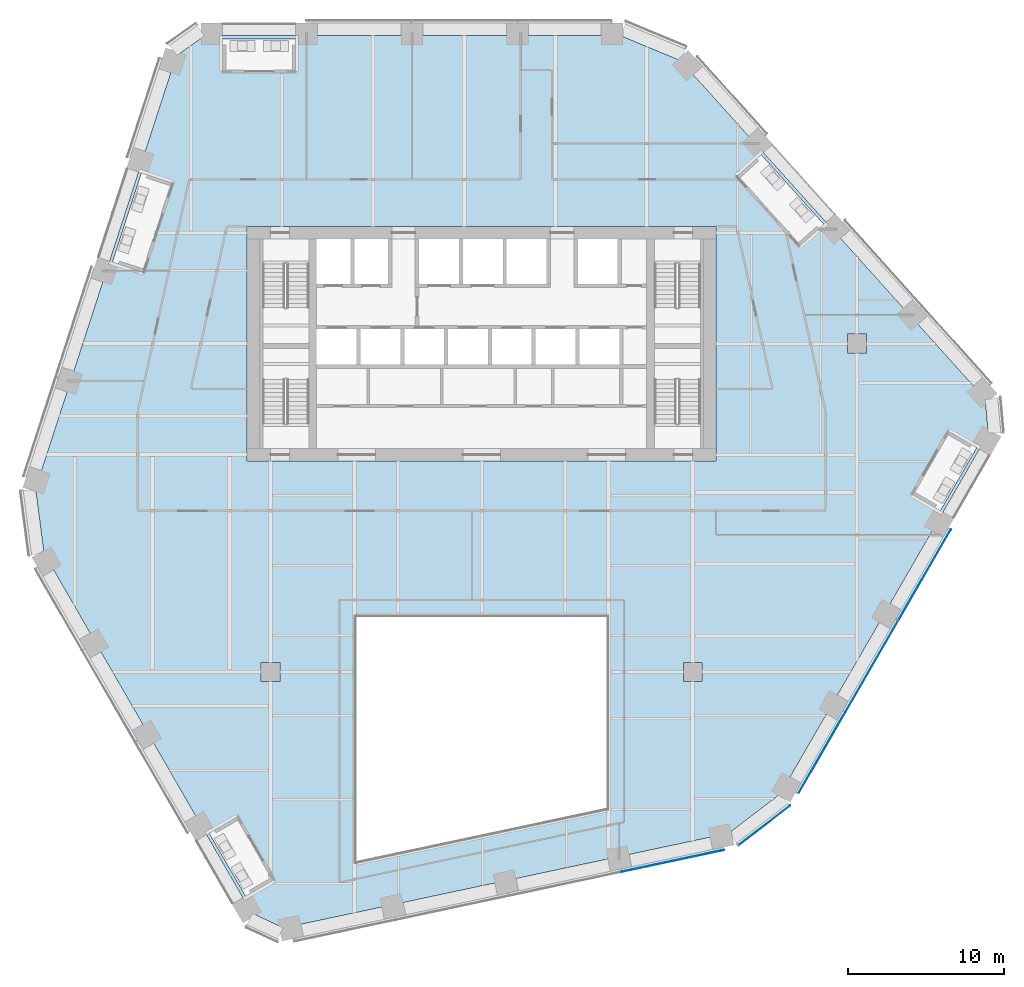
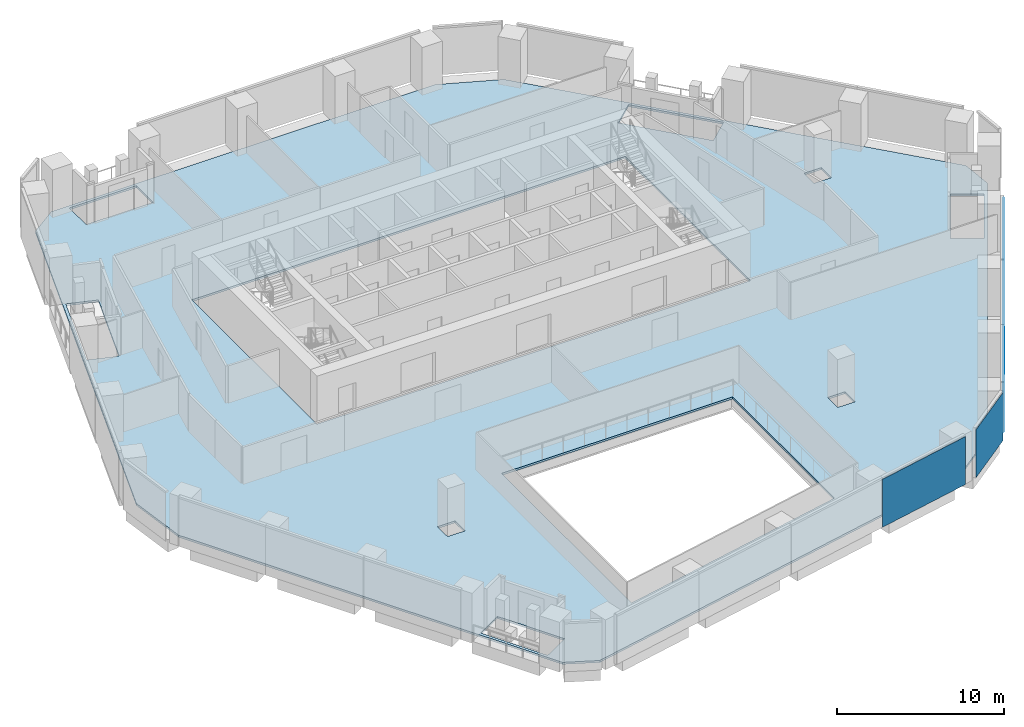
# One storey, part 14 of 26: 5 plates, 1 slab, 3 elements without a shape of their own.
"""IFC4 building model written with IfcOpenShell, lengths in metres."""

from ifc_helpers import new_model, si_unit, direction, frame, origin, origin_2d, place, context, subcontext, project, spatial, polyline, rectangle, outline, extrude, material, layer, layer_set, type_object, element, aggregate, save


model = new_model("IFC4")

# Units and contexts
model_context = context("Model", 3, precision=1e-05, world=origin(), true_north=direction((0.0, 1.0)))
body_context = subcontext(model_context, "Body", "Model", "MODEL_VIEW")
ifc_project = project(units=[si_unit("LENGTHUNIT", "METRE"), si_unit("AREAUNIT", "SQUARE_METRE"), si_unit("VOLUMEUNIT", "CUBIC_METRE"), si_unit("PLANEANGLEUNIT", "RADIAN"), si_unit("MASSUNIT", "GRAM", prefix="KILO")], contexts=[model_context])

# Site, building, storey
site_placement = place(None, origin())
site = spatial("IfcSite", under=ifc_project, at=site_placement, CompositionType="ELEMENT")
building_placement = place(site_placement, origin())
building = spatial("IfcBuilding", under=site, at=building_placement, Name="Isthmus Gate Tower", CompositionType="ELEMENT")
storey_placement = place(building_placement, frame((0.0, 0.0, 144.39990234375)))
storey = spatial("IfcBuildingStorey", under=building, at=storey_placement, Name="L35", CompositionType="ELEMENT", Elevation=144.39990234375)

# Slab
ifc_material_1 = material(Name="Concrete f'c 40 MPa", Category="concrete")
ifc_layer_1 = layer(ifc_material_1, 0.14990234375)
ifc_layer_set_1 = layer_set([ifc_layer_1], Name="COMPOSITE FLOOR SLAB 150")
slab_type = type_object("IfcSlabType", Name="COMPOSITE FLOOR SLAB 150", PredefinedType="FLOOR", material=ifc_layer_set_1)
slab_placement = place(storey_placement, frame((0.0, 0.0, -0.14990234375)))
element("IfcSlab", 1, at=slab_placement, inside=storey, type_object=slab_type, Name="str-slab-L35-1", PredefinedType="FLOOR", context=body_context, shape_type="SweptSolid", body=[
    extrude(outline(polyline([(12.72802734375, 25.599365234375), (32.21044921875, 3.9619140625), (32.410400390625, 1.736083984375), (19.116455078125, -21.289306640625), (15.8056640625, -23.822509765625), (-12.674072265625, -29.876220703125), (-14.701416015625, -28.936279296875), (-27.995361328125, -5.91064453125), (-28.53369140625, -1.77685546875), (-19.536376953125, 25.9140625), (-17.708740234375, 27.199951171875), (8.87890625, 27.199951171875), (12.72802734375, 25.599365234375)]), holes=[polyline([(-13.36962890625, -26.843017578125), (-15.694580078125, -22.81591796875), (-17.4267578125, -23.81591796875), (-15.101806640625, -27.843017578125), (-13.36962890625, -26.843017578125)]), polyline([(8.0, -10.0), (-8.0, -10.0), (-8.0, -25.611083984375), (8.0, -22.210205078125), (8.0, -10.0)]), polyline([(-12.89990234375, -12.89990234375), (-14.10009765625, -12.89990234375), (-14.10009765625, -14.10009765625), (-12.89990234375, -14.10009765625), (-12.89990234375, -12.89990234375)]), polyline([(12.89990234375, -14.10009765625), (14.10009765625, -14.10009765625), (14.10009765625, -12.89990234375), (12.89990234375, -12.89990234375), (12.89990234375, -14.10009765625)]), polyline([(31.663818359375, 0.843017578125), (29.931640625, 1.843017578125), (27.606689453125, -2.18408203125), (29.338623046875, -3.18408203125), (31.663818359375, 0.843017578125)]), polyline([(-15.0, 15.0), (-15.0, 0.0), (15.0, 0.0), (15.0, 15.0), (-15.0, 15.0)]), polyline([(24.60009765625, 6.89990234375), (24.60009765625, 8.10009765625), (23.39990234375, 8.10009765625), (23.39990234375, 6.89990234375), (24.60009765625, 6.89990234375)]), polyline([(-21.713134765625, 12.095458984375), (-19.86181640625, 17.793212890625), (-21.763916015625, 18.4111328125), (-23.615234375, 12.71337890625), (-21.713134765625, 12.095458984375)]), polyline([(17.87255859375, 19.587158203125), (16.38623046875, 18.248779296875), (20.394775390625, 13.796875), (21.881103515625, 15.135009765625), (17.87255859375, 19.587158203125)]), polyline([(-16.56201171875, 27.0), (-16.56201171875, 25.0), (-11.911865234375, 25.0), (-11.911865234375, 27.0), (-16.56201171875, 27.0)])]), origin(), (0.0, 0.0, 1.0), 0.14990234375),
])

# Curtain wall, plate
ifc_material_2 = material(Name="Aluminium, pale champagne anodised", Category="aluminium")
ifc_layer_2 = layer(ifc_material_2, 0.199951171875)
ifc_layer_set_2 = layer_set([ifc_layer_2], Name="CW-1 UNITISED CURTAIN WALL 200 DEEP")
curtain_wall_type = type_object("IfcCurtainWallType", Name="CW-1 UNITISED CURTAIN WALL 200 DEEP", PredefinedType="NOTDEFINED", material=ifc_layer_set_2)
curtain_wall_1_placement = place(storey_placement, origin())
curtain_wall_1 = element("IfcCurtainWall", 2, at=curtain_wall_1_placement, inside=storey, type_object=curtain_wall_type, Name="CW-1 S L35", PredefinedType="NOTDEFINED")
ifc_material_3 = material(Name="Laminated low-iron glass, pale blue tint", Category="glass")
ifc_layer_3 = layer(ifc_material_3, 0.035888671875)
ifc_layer_set_3 = layer_set([ifc_layer_3], Name="CW-1 CLEAR GLASS LITE 36")
plate_type = type_object("IfcPlateType", Name="CW-1 CLEAR GLASS LITE 36", PredefinedType="CURTAIN_PANEL", material=ifc_layer_set_3)
plate_1_placement = place(storey_placement, frame((12.2294921875, -25.586669921875, 0.0), z_axis=(0.0, 0.0, 1.0), x_axis=(0.978147600734, 0.207911690818, 0.0)))
plate_1 = element("IfcPlate", 3, at=plate_1_placement, type_object=plate_type, Name="CW-1 glass lite", PredefinedType="CURTAIN_PANEL", context=body_context, shape_type="SweptSolid", body=[
    extrude(rectangle(XDim=6.690673828125, YDim=0.035888671875, at=origin_2d()), origin(), (0.0, 0.0, 1.0), 3.510009765625),
])
aggregate(curtain_wall_1, [plate_1])

curtain_wall_2_placement = place(storey_placement, origin())
curtain_wall_2 = element("IfcCurtainWall", 4, at=curtain_wall_2_placement, inside=storey, type_object=curtain_wall_type, Name="CW-1 S-SE L35", PredefinedType="NOTDEFINED")
plate_2_placement = place(storey_placement, frame((18.08056640625, -23.318359375, 0.0), z_axis=(0.0, 0.0, 1.0), x_axis=(0.794188594387, 0.607671355706, 0.0)))
plate_2 = element("IfcPlate", 5, at=plate_2_placement, type_object=plate_type, Name="CW-1 glass lite", PredefinedType="CURTAIN_PANEL", context=body_context, shape_type="SweptSolid", body=[
    extrude(rectangle(XDim=4.181396484375, YDim=0.035888671875, at=origin_2d()), origin(), (0.0, 0.0, 1.0), 3.510009765625),
])
aggregate(curtain_wall_2, [plate_2])

# Curtain wall, plates
curtain_wall_3_placement = place(storey_placement, origin())
curtain_wall_3 = element("IfcCurtainWall", 6, at=curtain_wall_3_placement, inside=storey, type_object=curtain_wall_type, Name="CW-1 SE L35", PredefinedType="NOTDEFINED")
plate_3_placement = place(storey_placement, frame((21.7646484375, -18.666748046875, 0.0), z_axis=(0.0, 0.0, 1.0), x_axis=(0.5, 0.866025403784, 0.0)))
plate_3 = element("IfcPlate", 7, at=plate_3_placement, type_object=plate_type, Name="CW-1 glass lite", PredefinedType="CURTAIN_PANEL", context=body_context, shape_type="SweptSolid", body=[
    extrude(rectangle(XDim=5.990234375, YDim=0.035888671875, at=origin_2d()), origin(), (0.0, 0.0, 1.0), 3.510009765625),
])
plate_4_placement = place(storey_placement, frame((24.94970703125, -13.14990234375, 0.0), z_axis=(0.0, 0.0, 1.0), x_axis=(0.5, 0.866025403784, 0.0)))
plate_4 = element("IfcPlate", 8, at=plate_4_placement, type_object=plate_type, Name="CW-1 glass lite", PredefinedType="CURTAIN_PANEL", context=body_context, shape_type="SweptSolid", body=[
    extrude(rectangle(XDim=6.750244140625, YDim=0.035888671875, at=origin_2d()), origin(), (0.0, 0.0, 1.0), 3.510009765625),
])
plate_5_placement = place(storey_placement, frame((28.339599609375, -7.278076171875, 0.0), z_axis=(0.0, 0.0, 1.0), x_axis=(0.5, 0.866025403784, 0.0)))
plate_5 = element("IfcPlate", 9, at=plate_5_placement, type_object=plate_type, Name="CW-1 glass lite", PredefinedType="CURTAIN_PANEL", context=body_context, shape_type="SweptSolid", body=[
    extrude(rectangle(XDim=6.690185546875, YDim=0.035888671875, at=origin_2d()), origin(), (0.0, 0.0, 1.0), 3.510009765625),
])
aggregate(curtain_wall_3, [plate_3, plate_4, plate_5])

save(model, "model.ifc")
